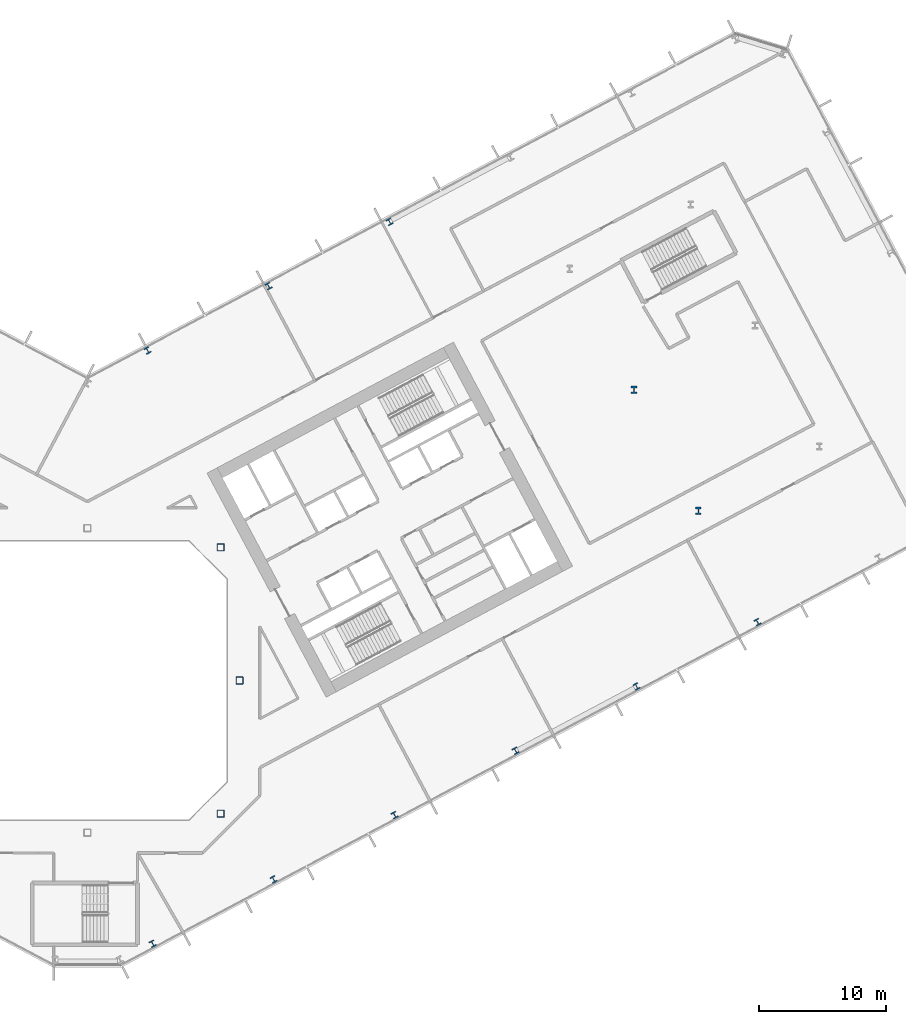
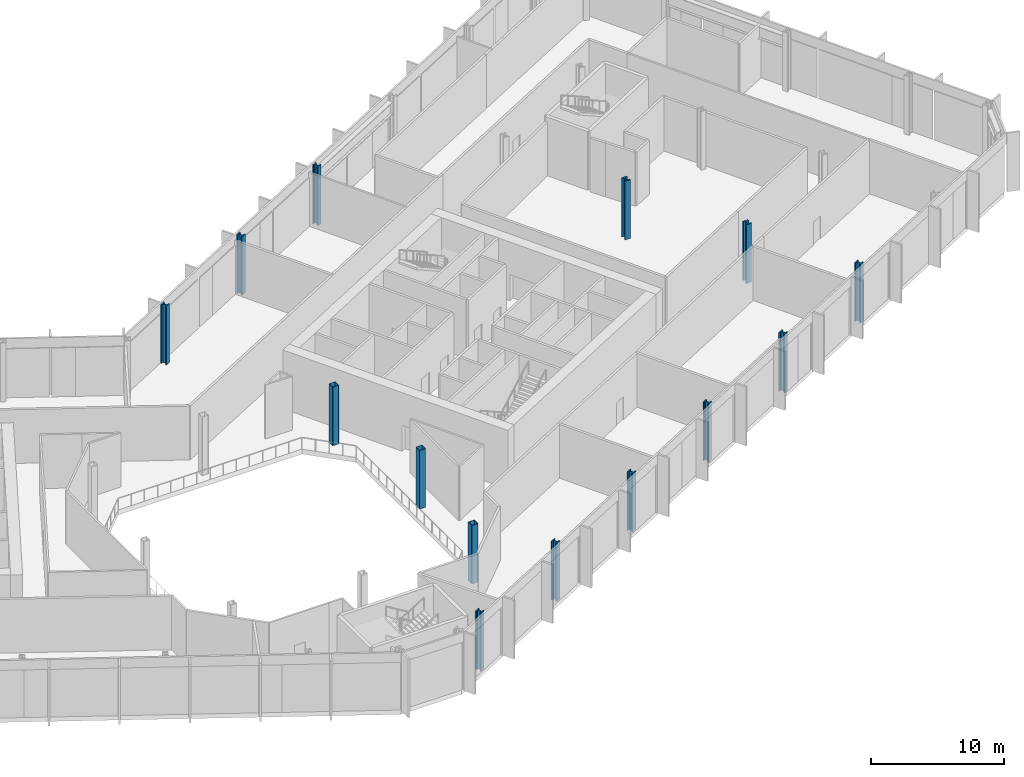
# One storey, part 3 of 30: 14 columns.
"""IFC4 building model written with IfcOpenShell, lengths in metres."""

from ifc_helpers import new_model, si_unit, direction, frame, origin, origin_2d, place, context, subcontext, project, spatial, hollow_rectangle, i_section, extrude, material, material_profile, profile_set, type_object, element, save


model = new_model("IFC4")

# Units and contexts
model_context = context("Model", 3, precision=1e-05, world=origin(), true_north=direction((0.0, 1.0)))
body_context = subcontext(model_context, "Body", "Model", "MODEL_VIEW")
ifc_project = project(units=[si_unit("LENGTHUNIT", "METRE"), si_unit("AREAUNIT", "SQUARE_METRE"), si_unit("VOLUMEUNIT", "CUBIC_METRE"), si_unit("PLANEANGLEUNIT", "RADIAN"), si_unit("MASSUNIT", "GRAM", prefix="KILO")], contexts=[model_context])

# Site, building, storey
site_placement = place(None, origin())
site = spatial("IfcSite", under=ifc_project, at=site_placement, CompositionType="ELEMENT")
building_placement = place(site_placement, origin())
building = spatial("IfcBuilding", under=site, at=building_placement, Name="Cormorant Relay Tower", CompositionType="ELEMENT")
storey_placement = place(building_placement, frame((0.0, 0.0, 44.60009765625)))
storey = spatial("IfcBuildingStorey", under=building, at=storey_placement, Name="L08", CompositionType="ELEMENT", Elevation=44.60009765625)

# Columns
ifc_material_1 = material(Name="Steel ASTM A1085 Grade A (Fy 345 MPa)", Category="steel")
ifc_material_profile_1 = material_profile(ifc_material_1, hollow_rectangle(XDim=0.558837890625, YDim=0.558837890625, WallThickness=0.023681640625, InnerFilletRadius=0.01171875, OuterFilletRadius=0.035400390625, at=origin_2d()), Name="HSS559x559x24")
ifc_profile_set_1 = profile_set([ifc_material_profile_1], Name="Steel ASTM A1085 Grade A (Fy 345 MPa)")
column_type_1 = type_object("IfcColumnType", Name="Column HSS559x559x24", PredefinedType="COLUMN", material=ifc_profile_set_1)
for number, where, z_axis, x_axis, name in (
    (1, (10.5, -10.5, 0.0), (0.0, 0.0, 1.0), (1.0, 0.0, 0.0), "Column L08-010"),
    (2, (12.0, 0.0, 0.0), (0.0, 0.0, 1.0), (1.0, 0.0, 0.0), "Column L08-016"),
    (3, (10.5, 10.5, 0.0), (0.0, 0.0, 1.0), (1.0, 0.0, 0.0), "Column L08-023"),
):
    element("IfcColumn", number, at=place(storey_placement, frame(where, z_axis=z_axis, x_axis=x_axis)), inside=storey, type_object=column_type_1, Name=name, PredefinedType="COLUMN", context=body_context, shape_type="SweptSolid", body=[
        extrude(hollow_rectangle(XDim=0.558837890625, YDim=0.558837890625, WallThickness=0.023681640625, InnerFilletRadius=0.01171875, OuterFilletRadius=0.035400390625, at=origin_2d()), origin(), (0.0, 0.0, 1.0), 5.39990234375),
    ])
ifc_material_2 = material(Name="Steel ASTM A992 (Fy 345 MPa)", Category="steel")
ifc_material_profile_2 = material_profile(ifc_material_2, i_section(OverallWidth=0.45458984375, OverallDepth=0.569091796875, WebThickness=0.077880859375, FlangeThickness=0.124755859375, FilletRadius=0.015380859375, at=origin_2d()), Name="W360x1086")
ifc_profile_set_2 = profile_set([ifc_material_profile_2], Name="Steel ASTM A992 (Fy 345 MPa)")
column_type_2 = type_object("IfcColumnType", Name="Column W360x1086", PredefinedType="COLUMN", material=ifc_profile_set_2)
for number, where, z_axis, x_axis, name in (
    (4, (48.157958984375, 13.3740234375, 0.0), (0.0, 0.0, 1.0), (1.0, 0.0, 0.0), "Column L08-025"),
    (5, (43.087890625, 22.909912109375, 0.0), (0.0, 0.0, 1.0), (1.0, 0.0, 0.0), "Column L08-031"),
):
    element("IfcColumn", number, at=place(storey_placement, frame(where, z_axis=z_axis, x_axis=x_axis)), inside=storey, type_object=column_type_2, Name=name, PredefinedType="COLUMN", context=body_context, shape_type="SweptSolid", body=[
        extrude(i_section(OverallWidth=0.45458984375, OverallDepth=0.569091796875, WebThickness=0.077880859375, FlangeThickness=0.124755859375, FilletRadius=0.015380859375, at=origin_2d()), origin(), (0.0, 0.0, 1.0), 5.39990234375),
    ])
ifc_material_3 = material(Name="Steel ASTM A992 (Fy 345 MPa)", Category="steel")
ifc_material_profile_3 = material_profile(ifc_material_3, i_section(OverallWidth=0.43701171875, OverallDepth=0.51318359375, WebThickness=0.060546875, FlangeThickness=0.096923828125, FilletRadius=0.015380859375, at=origin_2d()), Name="W360x818")
ifc_profile_set_3 = profile_set([ifc_material_profile_3], Name="Steel ASTM A992 (Fy 345 MPa)")
column_type_3 = type_object("IfcColumnType", Name="Column W360x818", PredefinedType="COLUMN", material=ifc_profile_set_3)
for number, where, z_axis, x_axis, name in (
    (6, (5.14599609375, -20.75390625, 0.0), (0.0, 0.0, 1.0), (0.882947592859, 0.469471562786, 0.0), "Column L08-003"),
    (7, (14.680908203125, -15.68310546875, 0.0), (0.0, 0.0, 1.0), (0.882947592859, 0.469471562786, 0.0), "Column L08-005"),
    (8, (24.217041015625, -10.613037109375, 0.0), (0.0, 0.0, 1.0), (0.882947592859, 0.469471562786, 0.0), "Column L08-008"),
    (9, (33.7529296875, -5.54296875, 0.0), (0.0, 0.0, 1.0), (0.882947592859, 0.469471562786, 0.0), "Column L08-012"),
    (10, (43.2890625, -0.471923828125, 0.0), (0.0, 0.0, 1.0), (0.882947592859, 0.469471562786, 0.0), "Column L08-014"),
    (11, (52.824951171875, 4.597900390625, 0.0), (0.0, 0.0, 1.0), (0.882947592859, 0.469471562786, 0.0), "Column L08-019"),
    (12, (4.743896484375, 26.011962890625, 0.0), (0.0, 0.0, 1.0), (-0.882947592859, -0.469471562786, 0.0), "Column L08-035"),
    (13, (14.279052734375, 31.08203125, 0.0), (0.0, 0.0, 1.0), (-0.882947592859, -0.469471562786, 0.0), "Column L08-039"),
    (14, (23.81494140625, 36.152099609375, 0.0), (0.0, 0.0, 1.0), (-0.882947592859, -0.469471562786, 0.0), "Column L08-044"),
):
    element("IfcColumn", number, at=place(storey_placement, frame(where, z_axis=z_axis, x_axis=x_axis)), inside=storey, type_object=column_type_3, Name=name, PredefinedType="COLUMN", context=body_context, shape_type="SweptSolid", body=[
        extrude(i_section(OverallWidth=0.43701171875, OverallDepth=0.51318359375, WebThickness=0.060546875, FlangeThickness=0.096923828125, FilletRadius=0.015380859375, at=origin_2d()), origin(), (0.0, 0.0, 1.0), 5.39990234375),
    ])

save(model, "model.ifc")
